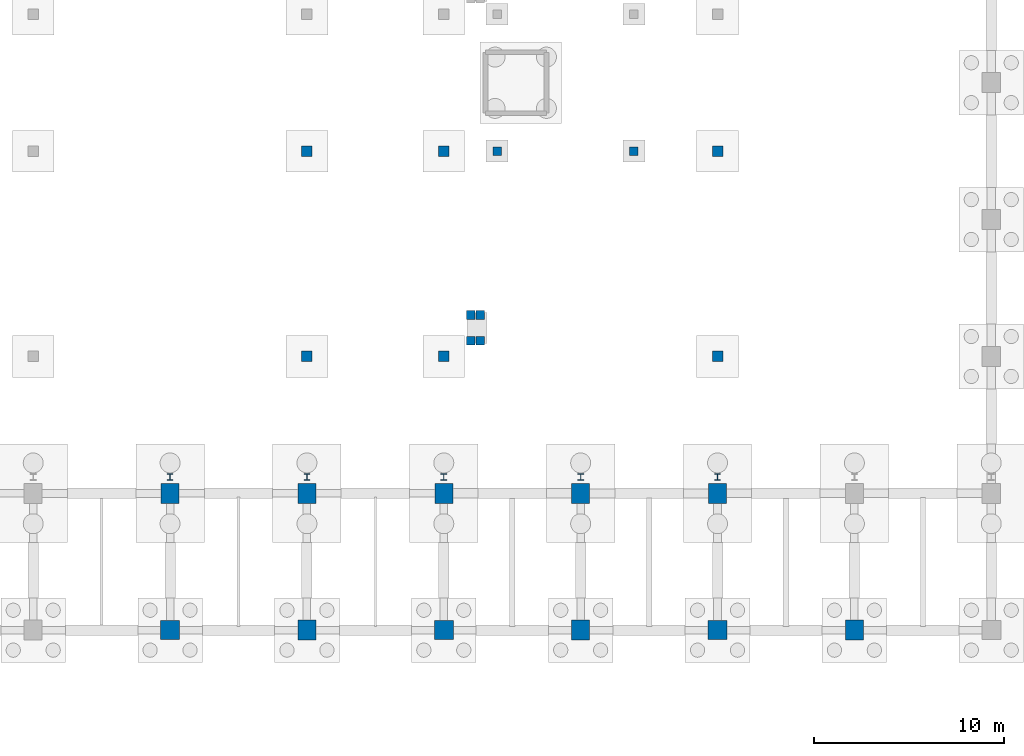
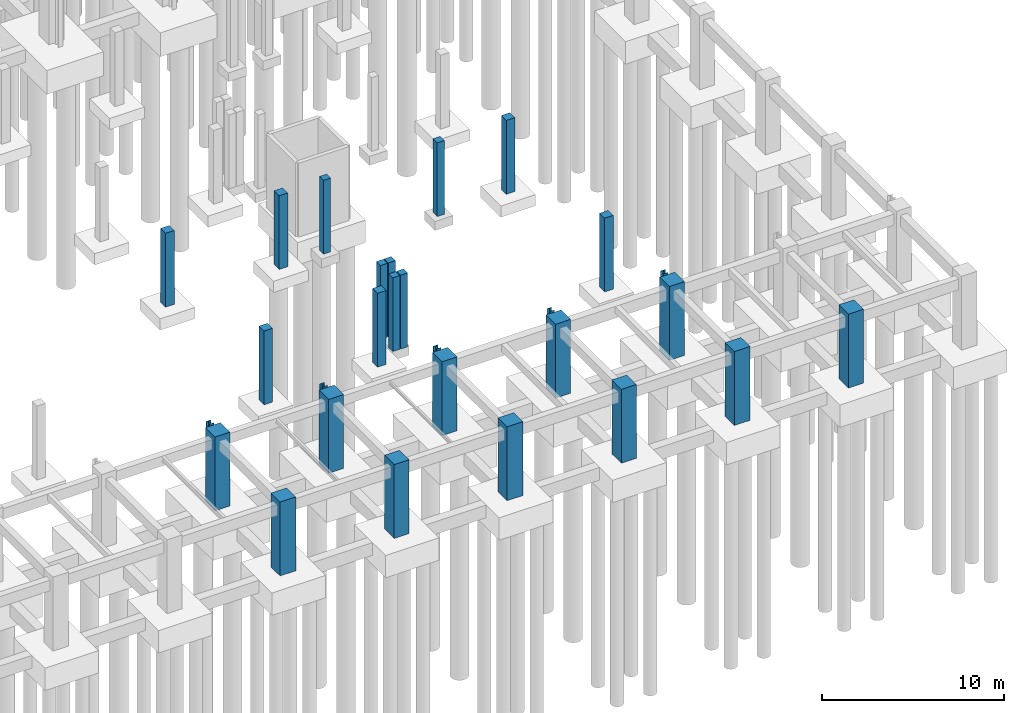
# One storey, part 19 of 47: 28 columns.
"""IFC4 building model written with IfcOpenShell, lengths in metres."""

from ifc_helpers import new_model, si_unit, direction, frame, origin, origin_2d, place, context, subcontext, project, spatial, rectangle, i_section, extrude, material, material_profile, profile_set, type_object, element, save


model = new_model("IFC4")

# Units and contexts
model_context = context("Model", 3, precision=1e-05, world=origin(), true_north=direction((0.0, 1.0)))
body_context = subcontext(model_context, "Body", "Model", "MODEL_VIEW")
ifc_project = project(units=[si_unit("LENGTHUNIT", "METRE"), si_unit("AREAUNIT", "SQUARE_METRE"), si_unit("VOLUMEUNIT", "CUBIC_METRE"), si_unit("PLANEANGLEUNIT", "RADIAN"), si_unit("MASSUNIT", "GRAM", prefix="KILO")], contexts=[model_context])

# Site, building, storey
site_placement = place(None, origin())
site = spatial("IfcSite", under=ifc_project, at=site_placement, CompositionType="ELEMENT")
building_placement = place(site_placement, origin())
building = spatial("IfcBuilding", under=site, at=building_placement, Name="Thalmaran Polytechnic", CompositionType="ELEMENT")
storey_placement = place(building_placement, frame((0.0, 0.0, -4.5)))
storey = spatial("IfcBuildingStorey", under=building, at=storey_placement, Name="B1", CompositionType="ELEMENT", Elevation=-4.5)

# Columns
ifc_material_1 = material(Name="Concrete C40/50", Category="concrete")
ifc_material_profile_1 = material_profile(ifc_material_1, rectangle(XDim=0.550048828125, YDim=0.550048828125, at=origin_2d()), Name="RC 550x550")
ifc_profile_set_1 = profile_set([ifc_material_profile_1], Name="Concrete C40/50")
column_type_1 = type_object("IfcColumnType", Name="COL-C08", PredefinedType="COLUMN", material=ifc_profile_set_1)
for number, where, z_axis, x_axis, name in (
    (1, (136.800048828125, 14.39990234375, -0.449951171875), (0.0, 0.0, 1.0), (1.0, 0.0, 0.0), "POD1 Foundation Pedestal"),
    (2, (136.800048828125, 25.199951171875, -0.449951171875), (0.0, 0.0, 1.0), (1.0, 0.0, 0.0), "POD1 Foundation Pedestal"),
    (3, (144.0, 14.39990234375, -0.449951171875), (0.0, 0.0, 1.0), (1.0, 0.0, 0.0), "POD2 Foundation Pedestal"),
    (4, (144.0, 25.199951171875, -0.449951171875), (0.0, 0.0, 1.0), (1.0, 0.0, 0.0), "POD2 Foundation Pedestal"),
    (5, (158.39990234375, 14.39990234375, -0.449951171875), (0.0, 0.0, 1.0), (1.0, 0.0, 0.0), "POD2 Foundation Pedestal"),
    (6, (158.39990234375, 25.199951171875, -0.449951171875), (0.0, 0.0, 1.0), (1.0, 0.0, 0.0), "POD2 Foundation Pedestal"),
):
    element("IfcColumn", number, at=place(storey_placement, frame(where, z_axis=z_axis, x_axis=x_axis)), inside=storey, type_object=column_type_1, Name=name, PredefinedType="COLUMN", context=body_context, shape_type="SweptSolid", body=[
        extrude(rectangle(XDim=0.550048828125, YDim=0.550048828125, at=origin_2d()), origin(), (0.0, 0.0, 1.0), 4.949951171875),
    ])
ifc_material_profile_2 = material_profile(ifc_material_1, rectangle(XDim=0.449951171875, YDim=0.449951171875, at=origin_2d()), Name="RC 450x450")
ifc_profile_set_2 = profile_set([ifc_material_profile_2], Name="Concrete C40/50")
column_type_2 = type_object("IfcColumnType", Name="COL-C10", PredefinedType="COLUMN", material=ifc_profile_set_2)
for number, where, z_axis, x_axis, name in (
    (7, (146.800048828125, 25.199951171875, -0.449951171875), (0.0, 0.0, 1.0), (1.0, 0.0, 0.0), "Pod Bridge Pedestal B1"),
    (8, (154.0, 25.199951171875, -0.449951171875), (0.0, 0.0, 1.0), (1.0, 0.0, 0.0), "Pod Bridge Pedestal B1"),
    (9, (145.419921875, 15.219970703125, -0.449951171875), (0.0, 0.0, 1.0), (1.0, 0.0, 0.0), "STP1 Landing Pedestal B1"),
    (10, (145.419921875, 16.580078125, -0.449951171875), (0.0, 0.0, 1.0), (1.0, 0.0, 0.0), "STP1 Landing Pedestal B1"),
    (11, (145.919921875, 15.219970703125, -0.449951171875), (0.0, 0.0, 1.0), (1.0, 0.0, 0.0), "STP1 Landing Pedestal B1"),
    (12, (145.919921875, 16.580078125, -0.449951171875), (0.0, 0.0, 1.0), (1.0, 0.0, 0.0), "STP1 Landing Pedestal B1"),
):
    element("IfcColumn", number, at=place(storey_placement, frame(where, z_axis=z_axis, x_axis=x_axis)), inside=storey, type_object=column_type_2, Name=name, PredefinedType="COLUMN", context=body_context, shape_type="SweptSolid", body=[
        extrude(rectangle(XDim=0.449951171875, YDim=0.449951171875, at=origin_2d()), origin(), (0.0, 0.0, 1.0), 4.949951171875),
    ])
ifc_material_2 = material(Name="Steel S355", Category="steel")
ifc_material_profile_3 = material_profile(ifc_material_2, i_section(OverallWidth=0.300048828125, OverallDepth=0.340087890625, WebThickness=0.011962890625, FlangeThickness=0.021484375, at=origin_2d()), Name="HEB 340")
ifc_profile_set_3 = profile_set([ifc_material_profile_3], Name="Steel S355")
column_type_3 = type_object("IfcColumnType", Name="COL-SC1", PredefinedType="COLUMN", material=ifc_profile_set_3)
for number, where, z_axis, x_axis, name in (
    (13, (129.60009765625, 8.050048828125, -0.449951171875), (0.0, 0.0, 1.0), (1.0, 0.0, 0.0), "Workshop Crane Runway Column B1 (18,1)"),
    (14, (136.800048828125, 8.050048828125, -0.449951171875), (0.0, 0.0, 1.0), (1.0, 0.0, 0.0), "Workshop Crane Runway Column B1 (19,1)"),
    (15, (144.0, 8.050048828125, -0.449951171875), (0.0, 0.0, 1.0), (1.0, 0.0, 0.0), "Workshop Crane Runway Column B1 (20,1)"),
    (16, (151.199951171875, 8.050048828125, -0.449951171875), (0.0, 0.0, 1.0), (1.0, 0.0, 0.0), "Workshop Crane Runway Column B1 (21,1)"),
    (17, (158.39990234375, 8.050048828125, -0.449951171875), (0.0, 0.0, 1.0), (1.0, 0.0, 0.0), "Workshop Crane Runway Column B1 (22,1)"),
):
    element("IfcColumn", number, at=place(storey_placement, frame(where, z_axis=z_axis, x_axis=x_axis)), inside=storey, type_object=column_type_3, Name=name, PredefinedType="COLUMN", context=body_context, shape_type="SweptSolid", body=[
        extrude(i_section(OverallWidth=0.300048828125, OverallDepth=0.340087890625, WebThickness=0.011962890625, FlangeThickness=0.021484375, at=origin_2d()), origin(), (0.0, 0.0, 1.0), 4.949951171875),
    ])
ifc_material_3 = material(Name="Concrete C50/60", Category="concrete")
ifc_material_profile_4 = material_profile(ifc_material_3, rectangle(XDim=1.0, YDim=1.0, at=origin_2d()), Name="RC 1000x1000")
ifc_profile_set_4 = profile_set([ifc_material_profile_4], Name="Concrete C50/60")
column_type_4 = type_object("IfcColumnType", Name="COL-WP1", PredefinedType="COLUMN", material=ifc_profile_set_4)
for number, where, z_axis, x_axis, name in (
    (18, (129.60009765625, 0.0, -0.449951171875), (0.0, 0.0, 1.0), (1.0, 0.0, 0.0), "Column WP1 B1 (18,0)"),
    (19, (144.0, 0.0, -0.449951171875), (0.0, 0.0, 1.0), (1.0, 0.0, 0.0), "Column WP1 B1 (20,0)"),
    (20, (158.39990234375, 0.0, -0.449951171875), (0.0, 0.0, 1.0), (1.0, 0.0, 0.0), "Column WP1 B1 (22,0)"),
):
    element("IfcColumn", number, at=place(storey_placement, frame(where, z_axis=z_axis, x_axis=x_axis)), inside=storey, type_object=column_type_4, Name=name, PredefinedType="COLUMN", context=body_context, shape_type="SweptSolid", body=[
        extrude(rectangle(XDim=1.0, YDim=1.0, at=origin_2d()), origin(), (0.0, 0.0, 1.0), 4.949951171875),
    ])
ifc_material_profile_5 = material_profile(ifc_material_3, rectangle(XDim=0.949951171875, YDim=1.050048828125, at=origin_2d()), Name="RC 950x1050")
ifc_profile_set_5 = profile_set([ifc_material_profile_5], Name="Concrete C50/60")
column_type_5 = type_object("IfcColumnType", Name="COL-WP2", PredefinedType="COLUMN", material=ifc_profile_set_5)
for number, where, z_axis, x_axis, name in (
    (21, (129.60009765625, 7.199951171875, -0.449951171875), (0.0, 0.0, 1.0), (1.0, 0.0, 0.0), "Column WP2 B1 (18,1)"),
    (22, (136.800048828125, 0.0, -0.449951171875), (0.0, 0.0, 1.0), (1.0, 0.0, 0.0), "Column WP2 B1 (19,0)"),
    (23, (136.800048828125, 7.199951171875, -0.449951171875), (0.0, 0.0, 1.0), (1.0, 0.0, 0.0), "Column WP2 B1 (19,1)"),
    (24, (144.0, 7.199951171875, -0.449951171875), (0.0, 0.0, 1.0), (1.0, 0.0, 0.0), "Column WP2 B1 (20,1)"),
    (25, (151.199951171875, 0.0, -0.449951171875), (0.0, 0.0, 1.0), (1.0, 0.0, 0.0), "Column WP2 B1 (21,0)"),
    (26, (151.199951171875, 7.199951171875, -0.449951171875), (0.0, 0.0, 1.0), (1.0, 0.0, 0.0), "Column WP2 B1 (21,1)"),
    (27, (158.39990234375, 7.199951171875, -0.449951171875), (0.0, 0.0, 1.0), (1.0, 0.0, 0.0), "Column WP2 B1 (22,1)"),
    (28, (165.60009765625, 0.0, -0.449951171875), (0.0, 0.0, 1.0), (1.0, 0.0, 0.0), "Column WP2 B1 (23,0)"),
):
    element("IfcColumn", number, at=place(storey_placement, frame(where, z_axis=z_axis, x_axis=x_axis)), inside=storey, type_object=column_type_5, Name=name, PredefinedType="COLUMN", context=body_context, shape_type="SweptSolid", body=[
        extrude(rectangle(XDim=0.949951171875, YDim=1.050048828125, at=origin_2d()), origin(), (0.0, 0.0, 1.0), 4.949951171875),
    ])

save(model, "model.ifc")
